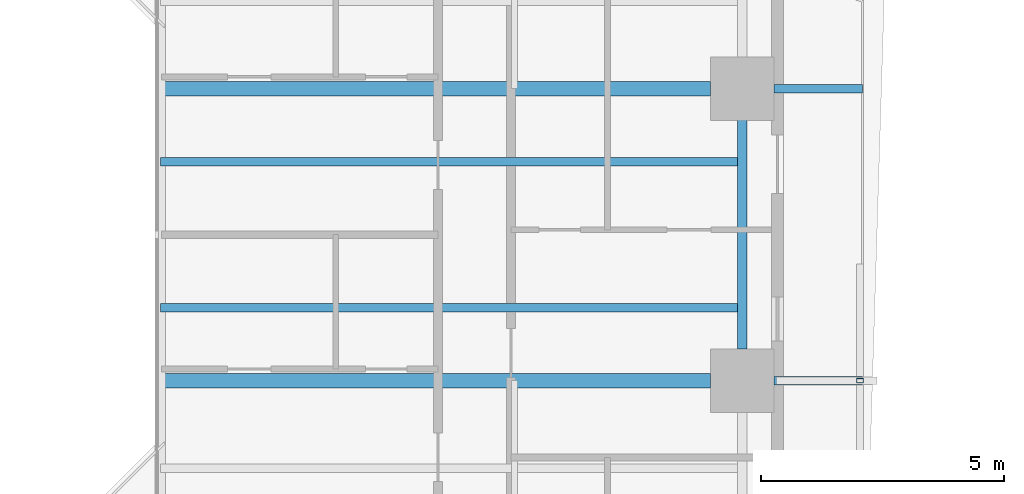
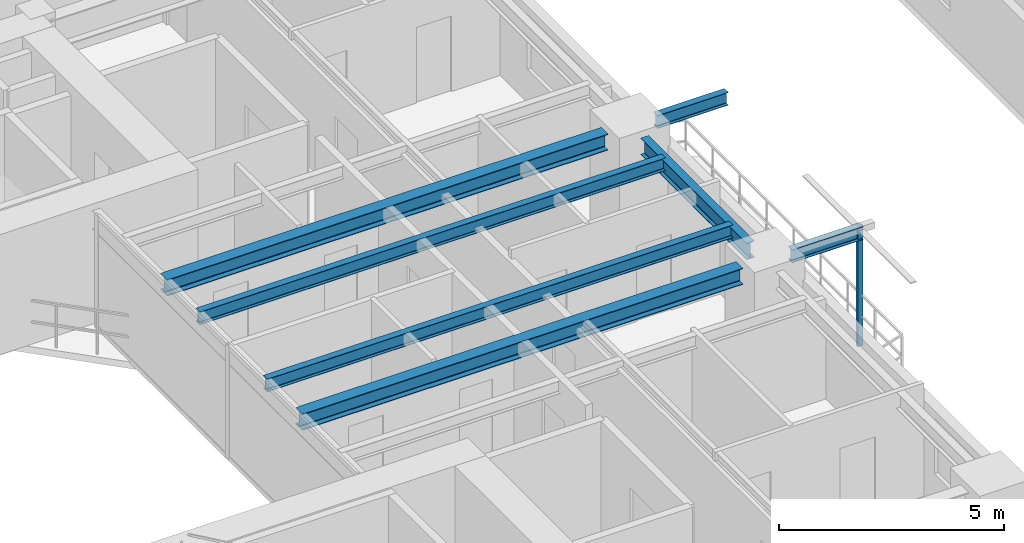
# One storey, part 7 of 24: 7 beams, 1 member.
"""IFC4 building model written with IfcOpenShell, lengths in metres."""

from ifc_helpers import new_model, si_unit, direction, frame, origin, origin_2d, place, context, subcontext, project, spatial, hollow_rectangle, i_section, extrude, source, transform, mapped, material, material_profile, profile_set, type_object, element, save


model = new_model("IFC4")

# Units and contexts
model_context = context("Model", 3, precision=1e-05, world=origin(), true_north=direction((0.0, 1.0)))
body_context = subcontext(model_context, "Body", "Model", "MODEL_VIEW")
ifc_project = project(units=[si_unit("LENGTHUNIT", "METRE"), si_unit("AREAUNIT", "SQUARE_METRE"), si_unit("VOLUMEUNIT", "CUBIC_METRE"), si_unit("PLANEANGLEUNIT", "RADIAN"), si_unit("MASSUNIT", "GRAM", prefix="KILO"), si_unit("THERMODYNAMICTEMPERATUREUNIT", "KELVIN"), si_unit("POWERUNIT", "WATT")], contexts=[model_context])

# Site, building, storey
site_placement = place(None, origin())
site = spatial("IfcSite", under=ifc_project, at=site_placement, CompositionType="ELEMENT")
building_placement = place(site_placement, origin())
building = spatial("IfcBuilding", under=site, at=building_placement, Name="Qiaomeng Ring Towers", CompositionType="ELEMENT")
storey_placement = place(building_placement, frame((0.0, 0.0, 56.75)))
storey = spatial("IfcBuildingStorey", under=building, at=storey_placement, Name="L15", CompositionType="ELEMENT", Elevation=56.75)

# Beams
ifc_material_1 = material(Name="Steel Q355B", Category="steel")
ifc_material_profile_1 = material_profile(ifc_material_1, i_section(OverallWidth=0.199951171875, OverallDepth=0.449951171875, WebThickness=0.009033203125, FlangeThickness=0.013916015625, FilletRadius=0.01806640625, at=origin_2d()), Name="HN 450x200x9x14")
ifc_profile_set_1 = profile_set([ifc_material_profile_1], Name="Steel Q355B")
beam_type_1 = type_object("IfcBeamType", Name="STR-BM-HN450", PredefinedType="SPANDREL", material=ifc_profile_set_1)
shared_shape_1 = source(origin(), body_context, "Body", "SweptSolid", [
    extrude(i_section(OverallWidth=0.199951171875, OverallDepth=0.449951171875, WebThickness=0.009033203125, FlangeThickness=0.013916015625, FilletRadius=0.01806640625, at=origin_2d()), origin(), (0.0, 0.0, 1.0), 4.7021484375),
])
beam_placement = place(storey_placement, frame((37.14990234375, 20.64892578125, 2.844970703125), z_axis=(0.0, 1.0, 0.0), x_axis=(-1.0, 0.0, 0.0)))
element("IfcBeam", 1, at=beam_placement, inside=storey, type_object=beam_type_1, Name="L15 beam STR-SP-L15-T1-E2-E3", PredefinedType="SPANDREL", context=body_context, shape_type="MappedRepresentation", body=[
    mapped(shared_shape_1, transform((0.0, 0.0, 0.0), x_axis=(1.0, 0.0, 0.0), y_axis=(0.0, 1.0, 0.0), z_axis=(0.0, 0.0, 1.0), scale=1.0)),
])
ifc_material_profile_2 = material_profile(ifc_material_1, i_section(OverallWidth=0.300048828125, OverallDepth=0.43994140625, WebThickness=0.010986328125, FlangeThickness=0.01806640625, FilletRadius=0.02392578125, at=origin_2d()), Name="HM 440x300x11x18")
ifc_profile_set_2 = profile_set([ifc_material_profile_2], Name="Steel Q355B")
beam_type_2 = type_object("IfcBeamType", Name="STR-BM-HM440", PredefinedType="BEAM", material=ifc_profile_set_2)
shared_shape_2 = source(origin(), body_context, "Body", "SweptSolid", [
    extrude(i_section(OverallWidth=0.300048828125, OverallDepth=0.43994140625, WebThickness=0.010986328125, FlangeThickness=0.01806640625, FilletRadius=0.02392578125, at=origin_2d()), origin(), (0.0, 0.0, 1.0), 11.301025390625),
])
for number, where, z_axis, x_axis, name in (
    (2, (25.199951171875, 20.0, 2.85009765625), (1.0, 0.0, 0.0), (0.0, 1.0, 0.0), "L15 beam STR-BM-L15-T1-RAD-E2"),
    (3, (25.199951171875, 26.0, 2.85009765625), (1.0, 0.0, 0.0), (0.0, 1.0, 0.0), "L15 beam STR-BM-L15-T1-RAD-E3"),
):
    element("IfcBeam", number, at=place(storey_placement, frame(where, z_axis=z_axis, x_axis=x_axis)), inside=storey, type_object=beam_type_2, Name=name, PredefinedType="BEAM", context=body_context, shape_type="MappedRepresentation", body=[
        mapped(shared_shape_2, transform((0.0, 0.0, 0.0), x_axis=(1.0, 0.0, 0.0), y_axis=(0.0, 1.0, 0.0), z_axis=(0.0, 0.0, 1.0), scale=1.0)),
    ])
ifc_material_profile_3 = material_profile(ifc_material_1, i_section(OverallWidth=0.175048828125, OverallDepth=0.35009765625, WebThickness=0.007080078125, FlangeThickness=0.010986328125, FilletRadius=0.013916015625, at=origin_2d()), Name="HN 350x175x7x11")
ifc_profile_set_3 = profile_set([ifc_material_profile_3], Name="Steel Q355B")
beam_type_3 = type_object("IfcBeamType", Name="STR-BM-HN350", PredefinedType="JOIST", material=ifc_profile_set_3)
shared_shape_3 = source(origin(), body_context, "Body", "SweptSolid", [
    extrude(i_section(OverallWidth=0.175048828125, OverallDepth=0.35009765625, WebThickness=0.007080078125, FlangeThickness=0.010986328125, FilletRadius=0.013916015625, at=origin_2d()), origin(), (0.0, 0.0, 1.0), 1.821044921875),
])
for number, where, z_axis, x_axis, name in (
    (4, (37.799072265625, 20.0, 2.89501953125), (1.0, 0.0, 0.0), (0.0, 1.0, 0.0), "L15 beam STR-BALBM-L15-E2"),
    (5, (37.799072265625, 26.0, 2.89501953125), (1.0, 0.0, 0.0), (0.0, 1.0, 0.0), "L15 beam STR-BALBM-L15-E3"),
):
    element("IfcBeam", number, at=place(storey_placement, frame(where, z_axis=z_axis, x_axis=x_axis)), inside=storey, type_object=beam_type_3, Name=name, PredefinedType="JOIST", context=body_context, shape_type="MappedRepresentation", body=[
        mapped(shared_shape_3, transform((0.0, 0.0, 0.0), x_axis=(1.0, 0.0, 0.0), y_axis=(0.0, 1.0, 0.0), z_axis=(0.0, 0.0, 1.0), scale=1.0)),
    ])
shared_shape_4 = source(origin(), body_context, "Body", "SweptSolid", [
    extrude(i_section(OverallWidth=0.175048828125, OverallDepth=0.35009765625, WebThickness=0.007080078125, FlangeThickness=0.010986328125, FilletRadius=0.013916015625, at=origin_2d()), origin(), (0.0, 0.0, 1.0), 11.949951171875),
])
for number, where, z_axis, x_axis, name in (
    (6, (25.199951171875, 21.5, 2.89501953125), (1.0, 0.0, 0.0), (0.0, 1.0, 0.0), "L15 beam STR-JST-L15-T1E-2"),
    (7, (25.199951171875, 24.5, 2.89501953125), (1.0, 0.0, 0.0), (0.0, 1.0, 0.0), "L15 beam STR-JST-L15-T1E-3"),
):
    element("IfcBeam", number, at=place(storey_placement, frame(where, z_axis=z_axis, x_axis=x_axis)), inside=storey, type_object=beam_type_3, Name=name, PredefinedType="JOIST", context=body_context, shape_type="MappedRepresentation", body=[
        mapped(shared_shape_4, transform((0.0, 0.0, 0.0), x_axis=(1.0, 0.0, 0.0), y_axis=(0.0, 1.0, 0.0), z_axis=(0.0, 0.0, 1.0), scale=1.0)),
    ])

# Member
ifc_material_2 = material(Name="Stainless steel 316", Category="steel")
ifc_material_profile_4 = material_profile(ifc_material_2, hollow_rectangle(XDim=0.090087890625, YDim=0.139892578125, WallThickness=0.0048828125, at=origin_2d()), Name="SS TRELLIS 90x140")
ifc_profile_set_4 = profile_set([ifc_material_profile_4], Name="Stainless steel 316")
member_type = type_object("IfcMemberType", Name="ARC-TR-POST1", PredefinedType="STUD", material=ifc_profile_set_4)
shared_shape_5 = source(origin(), body_context, "Body", "SweptSolid", [
    extrude(hollow_rectangle(XDim=0.090087890625, YDim=0.139892578125, WallThickness=0.0048828125, at=origin_2d()), origin(), (0.0, 0.0, 1.0), 3.25),
])
member_placement = place(storey_placement, frame((39.570068359375, 20.0, -0.179931640625), z_axis=(0.0, 0.0, 1.0), x_axis=(0.0, 1.0, 0.0)))
element("IfcMember", 8, at=member_placement, inside=storey, type_object=member_type, Name="L15 Outer Ventilated Trellis Post E", PredefinedType="STUD", context=body_context, shape_type="MappedRepresentation", body=[
    mapped(shared_shape_5, transform((0.0, 0.0, 0.0), x_axis=(1.0, 0.0, 0.0), y_axis=(0.0, 1.0, 0.0), z_axis=(0.0, 0.0, 1.0), scale=1.0)),
])

save(model, "model.ifc")
